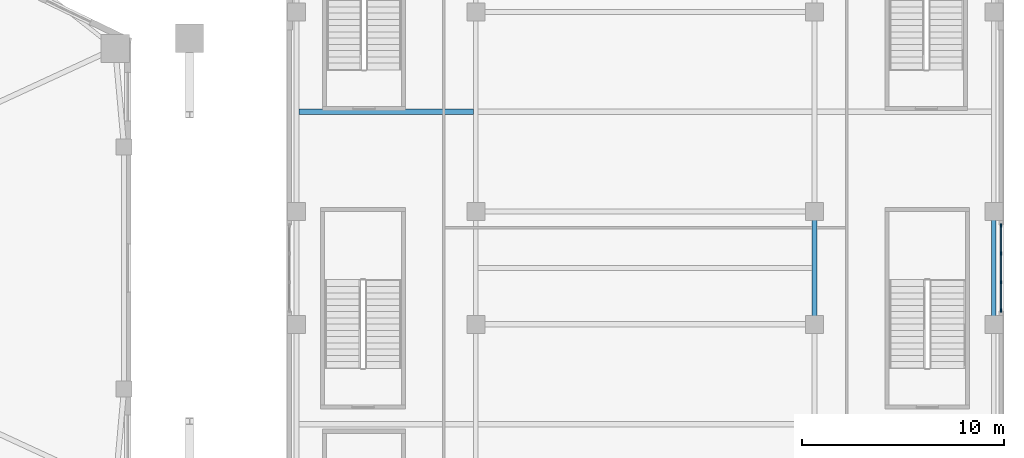
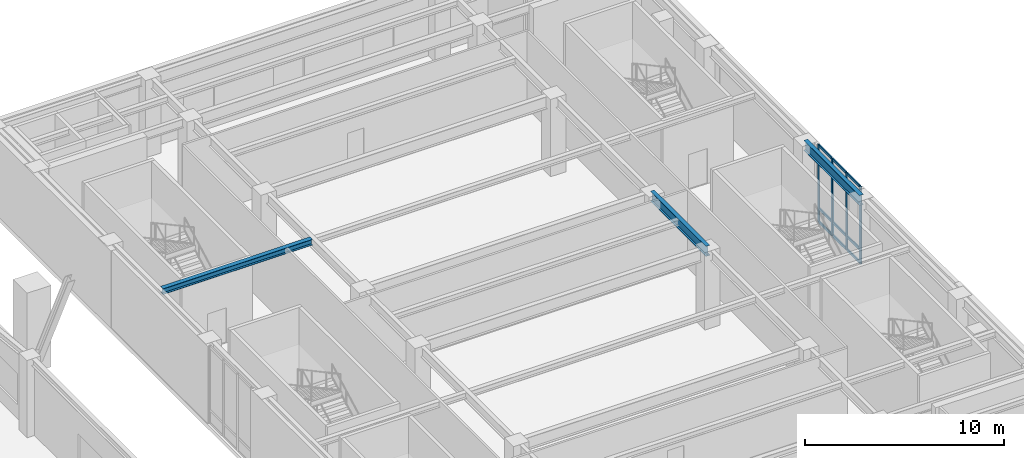
# One storey, part 8 of 21: 13 members, 3 beams, 1 element without a shape of its own.
"""IFC4 building model written with IfcOpenShell, lengths in metres."""

from ifc_helpers import new_model, si_unit, direction, frame, origin, origin_2d, place, context, subcontext, project, spatial, rectangle, i_section, extrude, material, layer, layer_set, material_profile, profile_set, type_object, element, aggregate, save


model = new_model("IFC4")

# Units and contexts
model_context = context("Model", 3, precision=1e-05, world=origin(), true_north=direction((0.0, 1.0)))
body_context = subcontext(model_context, "Body", "Model", "MODEL_VIEW")
ifc_project = project(units=[si_unit("LENGTHUNIT", "METRE"), si_unit("AREAUNIT", "SQUARE_METRE"), si_unit("VOLUMEUNIT", "CUBIC_METRE"), si_unit("PLANEANGLEUNIT", "RADIAN"), si_unit("MASSUNIT", "GRAM", prefix="KILO")], contexts=[model_context])

# Site, building, storey
site_placement = place(None, origin())
site = spatial("IfcSite", under=ifc_project, at=site_placement, CompositionType="ELEMENT")
building_placement = place(site_placement, origin())
building = spatial("IfcBuilding", under=site, at=building_placement, Name="Kolvaren Gate Tower and Convention Centre", CompositionType="ELEMENT")
storey_placement = place(building_placement, frame((0.0, 0.0, 5.0)))
storey = spatial("IfcBuildingStorey", under=building, at=storey_placement, Name="L01", CompositionType="ELEMENT", Elevation=5.0)

# Curtain wall, members
ifc_material_1 = material(Name="Anodized Architectural Aluminium Alloy 6063-T6", Category="aluminium")
ifc_layer = layer(ifc_material_1, 0.179931640625)
ifc_layer_set = layer_set([ifc_layer], Name="Anodized Architectural Aluminium Alloy 6063-T6")
curtain_wall_type = type_object("IfcCurtainWallType", Name="CW-CONV-GLZ", PredefinedType="NOTDEFINED", material=ifc_layer_set)
curtain_wall_placement = place(storey_placement, origin())
curtain_wall = element("IfcCurtainWall", 1, at=curtain_wall_placement, inside=storey, type_object=curtain_wall_type, Name="Convention L01 E Foyer Curtain Wall CW-CC-L01-E", PredefinedType="NOTDEFINED")
ifc_material_profile_1 = material_profile(ifc_material_1, rectangle(XDim=0.06494140625, YDim=0.159912109375, at=origin_2d()), Name="CW-MEM-MUL-160")
ifc_profile_set_1 = profile_set([ifc_material_profile_1], Name="Anodized Architectural Aluminium Alloy 6063-T6")
member_type_1 = type_object("IfcMemberType", Name="CW-MEM-MUL-160", PredefinedType="MULLION", material=ifc_profile_set_1)
member_1_placement = place(storey_placement, frame((97.64990234375, 24.892578125, 0.0), z_axis=(0.0, 0.0, 1.0), x_axis=(-1.0, 0.0, 0.0)))
member_1 = element("IfcMember", 2, at=member_1_placement, type_object=member_type_1, Name="CW-06 mullion 1", PredefinedType="MULLION", context=body_context, shape_type="SweptSolid", body=[
    extrude(rectangle(XDim=0.06494140625, YDim=0.159912109375, at=origin_2d()), origin(), (0.0, 0.0, 1.0), 4.739990234375),
])
member_2_placement = place(storey_placement, frame((97.64990234375, 26.28662109375, 0.0), z_axis=(0.0, 0.0, 1.0), x_axis=(-1.0, 0.0, 0.0)))
member_2 = element("IfcMember", 3, at=member_2_placement, type_object=member_type_1, Name="CW-06 mullion 2", PredefinedType="MULLION", context=body_context, shape_type="SweptSolid", body=[
    extrude(rectangle(XDim=0.06494140625, YDim=0.159912109375, at=origin_2d()), origin(), (0.0, 0.0, 1.0), 4.739990234375),
])
member_3_placement = place(storey_placement, frame((97.64990234375, 27.71337890625, 0.0), z_axis=(0.0, 0.0, 1.0), x_axis=(-1.0, 0.0, 0.0)))
member_3 = element("IfcMember", 4, at=member_3_placement, type_object=member_type_1, Name="CW-06 mullion 3", PredefinedType="MULLION", context=body_context, shape_type="SweptSolid", body=[
    extrude(rectangle(XDim=0.06494140625, YDim=0.159912109375, at=origin_2d()), origin(), (0.0, 0.0, 1.0), 4.739990234375),
])
member_4_placement = place(storey_placement, frame((97.64990234375, 29.107421875, 0.0), z_axis=(0.0, 0.0, 1.0), x_axis=(-1.0, 0.0, 0.0)))
member_4 = element("IfcMember", 5, at=member_4_placement, type_object=member_type_1, Name="CW-06 mullion 4", PredefinedType="MULLION", context=body_context, shape_type="SweptSolid", body=[
    extrude(rectangle(XDim=0.06494140625, YDim=0.159912109375, at=origin_2d()), origin(), (0.0, 0.0, 1.0), 4.739990234375),
])
ifc_material_profile_2 = material_profile(ifc_material_1, rectangle(XDim=0.06494140625, YDim=0.159912109375, at=origin_2d()), Name="CW-MEM-TRN-160")
ifc_profile_set_2 = profile_set([ifc_material_profile_2], Name="Anodized Architectural Aluminium Alloy 6063-T6")
member_type_2 = type_object("IfcMemberType", Name="CW-MEM-TRN-160", PredefinedType="USERDEFINED", material=ifc_profile_set_2)
member_5_placement = place(storey_placement, frame((97.64990234375, 24.925048828125, 0.032470703125), z_axis=(0.0, 1.0, 0.0), x_axis=(-1.0, 0.0, 0.0)))
member_5 = element("IfcMember", 6, at=member_5_placement, type_object=member_type_2, Name="CW-06 transom 1.1", ObjectType="TRANSOM", PredefinedType="USERDEFINED", context=body_context, shape_type="SweptSolid", body=[
    extrude(rectangle(XDim=0.06494140625, YDim=0.159912109375, at=origin_2d()), origin(), (0.0, 0.0, 1.0), 1.3291015625),
])
member_6_placement = place(storey_placement, frame((97.64990234375, 24.925048828125, 0.85009765625), z_axis=(0.0, 1.0, 0.0), x_axis=(-1.0, 0.0, 0.0)))
member_6 = element("IfcMember", 7, at=member_6_placement, type_object=member_type_2, Name="CW-06 transom 1.2", ObjectType="TRANSOM", PredefinedType="USERDEFINED", context=body_context, shape_type="SweptSolid", body=[
    extrude(rectangle(XDim=0.06494140625, YDim=0.159912109375, at=origin_2d()), origin(), (0.0, 0.0, 1.0), 1.3291015625),
])
member_7_placement = place(storey_placement, frame((97.64990234375, 24.925048828125, 4.70751953125), z_axis=(0.0, 1.0, 0.0), x_axis=(-1.0, 0.0, 0.0)))
member_7 = element("IfcMember", 8, at=member_7_placement, type_object=member_type_2, Name="CW-06 transom 1.3", ObjectType="TRANSOM", PredefinedType="USERDEFINED", context=body_context, shape_type="SweptSolid", body=[
    extrude(rectangle(XDim=0.06494140625, YDim=0.159912109375, at=origin_2d()), origin(), (0.0, 0.0, 1.0), 1.3291015625),
])
member_8_placement = place(storey_placement, frame((97.64990234375, 26.319091796875, 0.032470703125), z_axis=(0.0, 1.0, 0.0), x_axis=(-1.0, 0.0, 0.0)))
member_8 = element("IfcMember", 9, at=member_8_placement, type_object=member_type_2, Name="CW-06 transom 2.1", ObjectType="TRANSOM", PredefinedType="USERDEFINED", context=body_context, shape_type="SweptSolid", body=[
    extrude(rectangle(XDim=0.06494140625, YDim=0.159912109375, at=origin_2d()), origin(), (0.0, 0.0, 1.0), 1.36181640625),
])
member_9_placement = place(storey_placement, frame((97.64990234375, 26.319091796875, 0.85009765625), z_axis=(0.0, 1.0, 0.0), x_axis=(-1.0, 0.0, 0.0)))
member_9 = element("IfcMember", 10, at=member_9_placement, type_object=member_type_2, Name="CW-06 transom 2.2", ObjectType="TRANSOM", PredefinedType="USERDEFINED", context=body_context, shape_type="SweptSolid", body=[
    extrude(rectangle(XDim=0.06494140625, YDim=0.159912109375, at=origin_2d()), origin(), (0.0, 0.0, 1.0), 1.36181640625),
])
member_10_placement = place(storey_placement, frame((97.64990234375, 26.319091796875, 4.70751953125), z_axis=(0.0, 1.0, 0.0), x_axis=(-1.0, 0.0, 0.0)))
member_10 = element("IfcMember", 11, at=member_10_placement, type_object=member_type_2, Name="CW-06 transom 2.3", ObjectType="TRANSOM", PredefinedType="USERDEFINED", context=body_context, shape_type="SweptSolid", body=[
    extrude(rectangle(XDim=0.06494140625, YDim=0.159912109375, at=origin_2d()), origin(), (0.0, 0.0, 1.0), 1.36181640625),
])
member_11_placement = place(storey_placement, frame((97.64990234375, 27.745849609375, 0.032470703125), z_axis=(0.0, 1.0, 0.0), x_axis=(-1.0, 0.0, 0.0)))
member_11 = element("IfcMember", 12, at=member_11_placement, type_object=member_type_2, Name="CW-06 transom 3.1", ObjectType="TRANSOM", PredefinedType="USERDEFINED", context=body_context, shape_type="SweptSolid", body=[
    extrude(rectangle(XDim=0.06494140625, YDim=0.159912109375, at=origin_2d()), origin(), (0.0, 0.0, 1.0), 1.3291015625),
])
member_12_placement = place(storey_placement, frame((97.64990234375, 27.745849609375, 0.85009765625), z_axis=(0.0, 1.0, 0.0), x_axis=(-1.0, 0.0, 0.0)))
member_12 = element("IfcMember", 13, at=member_12_placement, type_object=member_type_2, Name="CW-06 transom 3.2", ObjectType="TRANSOM", PredefinedType="USERDEFINED", context=body_context, shape_type="SweptSolid", body=[
    extrude(rectangle(XDim=0.06494140625, YDim=0.159912109375, at=origin_2d()), origin(), (0.0, 0.0, 1.0), 1.3291015625),
])
member_13_placement = place(storey_placement, frame((97.64990234375, 27.745849609375, 4.70751953125), z_axis=(0.0, 1.0, 0.0), x_axis=(-1.0, 0.0, 0.0)))
member_13 = element("IfcMember", 14, at=member_13_placement, type_object=member_type_2, Name="CW-06 transom 3.3", ObjectType="TRANSOM", PredefinedType="USERDEFINED", context=body_context, shape_type="SweptSolid", body=[
    extrude(rectangle(XDim=0.06494140625, YDim=0.159912109375, at=origin_2d()), origin(), (0.0, 0.0, 1.0), 1.3291015625),
])
aggregate(curtain_wall, [member_1, member_2, member_3, member_4, member_5, member_6, member_7, member_8, member_9, member_10, member_11, member_12, member_13])

# Beams
ifc_material_2 = material(Name="Structural steel ASTM A992 Grade 345 MPa", Category="steel")
ifc_material_profile_3 = material_profile(ifc_material_2, i_section(OverallWidth=0.22998046875, OverallDepth=0.616943359375, WebThickness=0.01318359375, FlangeThickness=0.022216796875, at=origin_2d()), Name="W610X140")
ifc_profile_set_3 = profile_set([ifc_material_profile_3], Name="Structural steel ASTM A992 Grade 345 MPa")
beam_type_1 = type_object("IfcBeamType", Name="STR-BM-W610X140", PredefinedType="BEAM", material=ifc_profile_set_3)
for number, where, z_axis, x_axis, name in (
    (15, (88.39990234375, 24.199951171875, 4.431396484375), (0.0, 1.0, 0.0), (-1.0, 0.0, 0.0), "Convention L01 Longitudinal Girder CG-34"),
    (16, (97.300048828125, 24.199951171875, 4.431396484375), (0.0, 1.0, 0.0), (-1.0, 0.0, 0.0), "Convention L01 Longitudinal Girder CG-44"),
):
    element("IfcBeam", number, at=place(storey_placement, frame(where, z_axis=z_axis, x_axis=x_axis)), inside=storey, type_object=beam_type_1, Name=name, PredefinedType="BEAM", context=body_context, shape_type="SweptSolid", body=[
        extrude(i_section(OverallWidth=0.22998046875, OverallDepth=0.616943359375, WebThickness=0.01318359375, FlangeThickness=0.022216796875, at=origin_2d()), origin(), (0.0, 0.0, 1.0), 5.60009765625),
    ])
ifc_material_profile_4 = material_profile(ifc_material_2, i_section(OverallWidth=0.2548828125, OverallDepth=0.35693359375, WebThickness=0.010498046875, FlangeThickness=0.018310546875, at=origin_2d()), Name="W360X101")
ifc_profile_set_4 = profile_set([ifc_material_profile_4], Name="Structural steel ASTM A992 Grade 345 MPa")
beam_type_2 = type_object("IfcBeamType", Name="STR-JS-W360X101", PredefinedType="JOIST", material=ifc_profile_set_4)
beam_placement = place(storey_placement, frame((62.81494140625, 34.75, 4.5615234375), z_axis=(1.0, 0.0, 0.0), x_axis=(0.0, 1.0, 0.0)))
element("IfcBeam", 17, at=beam_placement, inside=storey, type_object=beam_type_2, Name="Convention L01 Composite Floor Joist CJ-15", PredefinedType="JOIST", context=body_context, shape_type="SweptSolid", body=[
    extrude(i_section(OverallWidth=0.2548828125, OverallDepth=0.35693359375, WebThickness=0.010498046875, FlangeThickness=0.018310546875, at=origin_2d()), origin(), (0.0, 0.0, 1.0), 8.670166015625),
])

save(model, "model.ifc")
